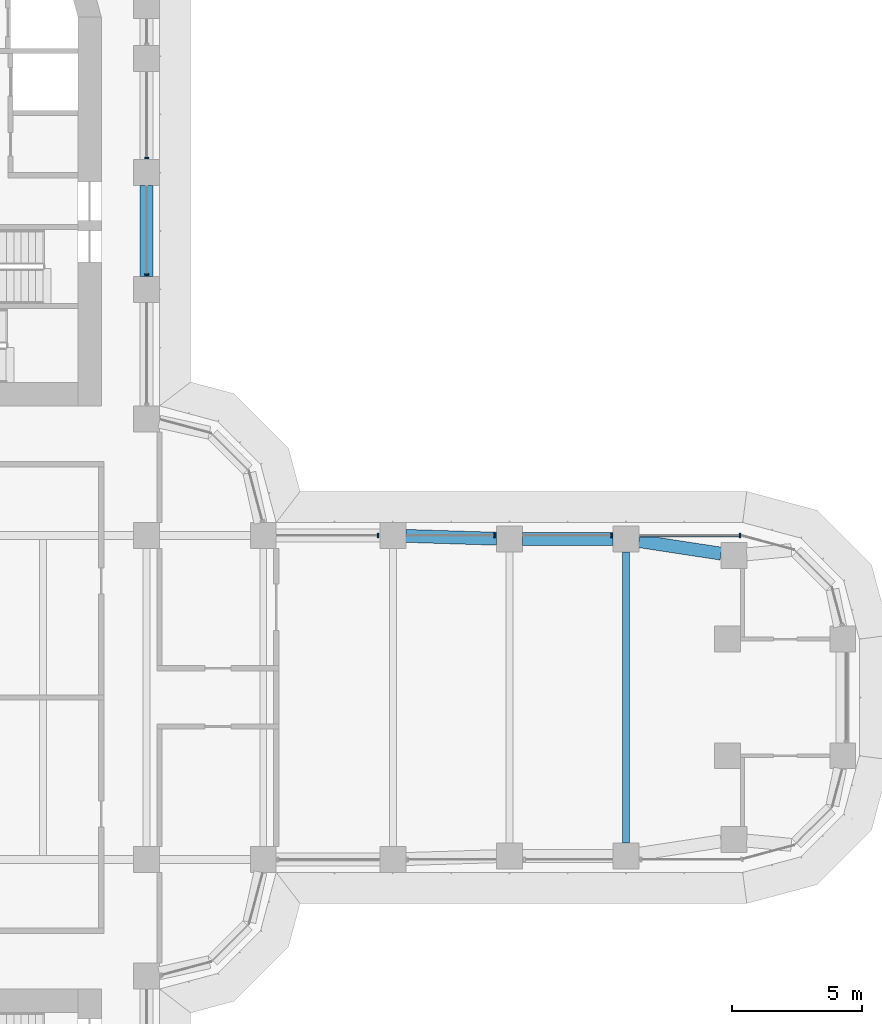
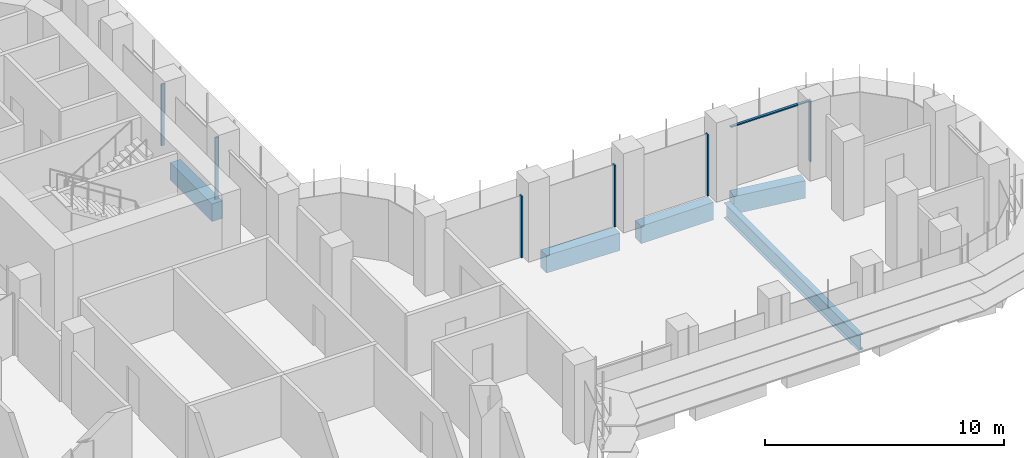
# One storey, part 9 of 23: 7 members, 5 beams, 2 elements without a shape of their own.
"""IFC4 building model written with IfcOpenShell, lengths in metres."""

import ifcopenshell
import ifcopenshell.guid

model = None  # the IFC model being written
_history = None  # IfcOwnerHistory: only IFC2X3 demands one
_inside = {}  # id of a spatial element -> (the spatial element, [elements in it])
_under = {}  # id of a project, library or spatial element -> (it, [spatial elements below it])
_declared = {}  # id of a project -> (the project, [libraries it declares])
_typed = {}  # id of a type object -> (the type object, [elements of that type])
_made_of = {}  # id of a material, layer set ... -> (it, [elements and type objects made of it])


def new_model(schema):
    """Start an empty IFC model of exactly this schema.

    Asked for "IFC4X3", IfcOpenShell would pick the latest addendum, in which some entities
    have other attributes; the version numbers below select the first issue.
    IFC2X3 requires an IfcOwnerHistory on every rooted entity: one is made here for all.
    """
    global model, _history
    if schema == "IFC4X3":
        model = ifcopenshell.file(schema_version=(4, 3, 0, 0))
    else:
        model = ifcopenshell.file(schema=schema)
    _inside.clear()
    _under.clear()
    _declared.clear()
    _typed.clear()
    _made_of.clear()
    _history = None
    if model.schema == "IFC2X3":
        org = make("IfcOrganization", Name="unknown")
        user = make(
            "IfcPersonAndOrganization",
            ThePerson=make("IfcPerson", FamilyName="unknown"),
            TheOrganization=org,
        )
        app = make(
            "IfcApplication",
            ApplicationDeveloper=org,
            Version="unknown",
            ApplicationFullName="unknown",
            ApplicationIdentifier="unknown",
        )
        _history = make(
            "IfcOwnerHistory",
            OwningUser=user,
            OwningApplication=app,
            ChangeAction="ADDED",
            CreationDate=0,
        )
    return model


def make(cls, **values):
    """One entity of the class cls with the attributes given. An attribute that is None is left unset."""
    return model.create_entity(
        cls, **{name: value for name, value in values.items() if value is not None}
    )


def rooted(cls, **values):
    """An entity with a GlobalId (a new one), such as an element, a storey or a relation."""
    return make(cls, GlobalId=ifcopenshell.guid.new(), OwnerHistory=_history, **values)


def si_unit(unit_type, name, prefix=None):
    """IfcSIUnit, for example si_unit("LENGTHUNIT", "METRE", prefix="MILLI")."""
    return make("IfcSIUnit", UnitType=unit_type, Prefix=prefix, Name=name)


def assignment(units):
    """IfcUnitAssignment: the units of a project."""
    return None if units is None else make("IfcUnitAssignment", Units=units)


def point(xyz):
    """IfcCartesianPoint."""
    return None if xyz is None else make("IfcCartesianPoint", Coordinates=xyz)


def direction(xyz):
    """IfcDirection."""
    return None if xyz is None else make("IfcDirection", DirectionRatios=xyz)


def frame(location, z_axis=None, x_axis=None):
    """IfcAxis2Placement3D, a coordinate frame: its origin and axes. An axis left out is left unset."""
    return make(
        "IfcAxis2Placement3D",
        Location=point(location),
        Axis=direction(z_axis),
        RefDirection=direction(x_axis),
    )


def frame_2d(location, x_axis=None):
    """IfcAxis2Placement2D, a coordinate frame in the plane: its origin and x axis."""
    return make(
        "IfcAxis2Placement2D", Location=point(location), RefDirection=direction(x_axis)
    )


def origin():
    """The frame at (0, 0, 0) with its axes left unset."""
    return frame((0.0, 0.0, 0.0))


def origin_2d():
    """The frame at (0, 0) in the plane with its x axis left unset."""
    return frame_2d((0.0, 0.0))


def place(relative_to, where):
    """IfcLocalPlacement: puts the frame where relative to a parent placement (None: the world)."""
    return make(
        "IfcLocalPlacement", PlacementRelTo=relative_to, RelativePlacement=where
    )


def context(
    kind, dimensions, precision=None, world=None, true_north=None, identifier=None
):
    """IfcGeometricRepresentationContext, for example the 3D "Model" context."""
    return make(
        "IfcGeometricRepresentationContext",
        ContextIdentifier=identifier,
        ContextType=kind,
        CoordinateSpaceDimension=dimensions,
        Precision=precision,
        WorldCoordinateSystem=world,
        TrueNorth=true_north,
    )


def subcontext(parent, identifier, kind, view, scale=None):
    """IfcGeometricRepresentationSubContext, for example "Body" below "Model"."""
    return make(
        "IfcGeometricRepresentationSubContext",
        ContextIdentifier=identifier,
        ContextType=kind,
        ParentContext=parent,
        TargetScale=scale,
        TargetView=view,
    )


def project(units=None, contexts=None):
    """IfcProject with its units and contexts."""
    return rooted(
        "IfcProject",
        Name="project",
        RepresentationContexts=contexts,
        UnitsInContext=assignment(units),
    )


def spatial(cls, under=None, at=None, **own):
    """A site, building, storey or space (cls), placed at a placement, below another one or the project."""
    s = rooted(cls, ObjectPlacement=at, **own)
    if under is not None:
        _under.setdefault(under.id(), (under, []))[1].append(s)
    return s


def polyline(points):
    """IfcPolyline through the points."""
    return make("IfcPolyline", Points=[point(p) for p in points])


def profile(cls, at=None, kind="AREA", **sizes):
    """A parametric profile (cls). Its sizes go by their IFC names, for example OverallWidth=200.0."""
    return make(cls, ProfileType=kind, Position=at, **sizes)


def rectangle(**sizes):
    """IfcRectangleProfileDef."""
    return profile("IfcRectangleProfileDef", **sizes)


def i_section(**sizes):
    """IfcIShapeProfileDef."""
    return profile("IfcIShapeProfileDef", **sizes)


def outline(outer, holes=None, kind="AREA"):
    """IfcArbitraryClosedProfileDef: a profile drawn as a closed curve; with holes, ...WithVoids."""
    if holes is None:
        return make("IfcArbitraryClosedProfileDef", ProfileType=kind, OuterCurve=outer)
    return make(
        "IfcArbitraryProfileDefWithVoids",
        ProfileType=kind,
        OuterCurve=outer,
        InnerCurves=holes,
    )


def extrude(swept, where, along, depth):
    """IfcExtrudedAreaSolid: the profile swept, set in the frame where, extruded along a direction by depth."""
    return make(
        "IfcExtrudedAreaSolid",
        SweptArea=swept,
        Position=where,
        ExtrudedDirection=direction(along),
        Depth=depth,
    )


def shape(context_of_items, identifier, shape_type, items):
    """IfcShapeRepresentation: the items that make up one representation, for example the "Body"."""
    return make(
        "IfcShapeRepresentation",
        ContextOfItems=context_of_items,
        RepresentationIdentifier=identifier,
        RepresentationType=shape_type,
        Items=items,
    )


def source(mapping_origin, context_of_items, identifier, shape_type, items):
    """IfcRepresentationMap: a shape defined once, which mapped items show again and again."""
    return make(
        "IfcRepresentationMap",
        MappingOrigin=mapping_origin,
        MappedRepresentation=shape(context_of_items, identifier, shape_type, items),
    )


def transform(
    local_origin,
    x_axis=None,
    y_axis=None,
    z_axis=None,
    scale=None,
    scale2=None,
    scale3=None,
    uniform=True,
):
    """IfcCartesianTransformationOperator3D, or its non-uniform kind. x_axis, y_axis, z_axis: its Axis1, 2, 3."""
    if uniform:
        return make(
            "IfcCartesianTransformationOperator3D",
            Axis1=direction(x_axis),
            Axis2=direction(y_axis),
            LocalOrigin=point(local_origin),
            Scale=scale,
            Axis3=direction(z_axis),
        )
    return make(
        "IfcCartesianTransformationOperator3DnonUniform",
        Axis1=direction(x_axis),
        Axis2=direction(y_axis),
        LocalOrigin=point(local_origin),
        Scale=scale,
        Axis3=direction(z_axis),
        Scale2=scale2,
        Scale3=scale3,
    )


def mapped(mapping_source, mapping_target):
    """IfcMappedItem: shows the shape of a source again, moved by a transform."""
    return make(
        "IfcMappedItem", MappingSource=mapping_source, MappingTarget=mapping_target
    )


def material(Name=None, Category=None):
    """IfcMaterial."""
    return make("IfcMaterial", Name=Name, Category=Category)


def material_profile(
    of_material, cross_section, Name=None, Category=None, Priority=None
):
    """IfcMaterialProfile: a cross section and its material."""
    return make(
        "IfcMaterialProfile",
        Name=Name,
        Material=of_material,
        Profile=cross_section,
        Priority=Priority,
        Category=Category,
    )


def profile_set(profiles, Name=None, composite=None):
    """IfcMaterialProfileSet."""
    return make(
        "IfcMaterialProfileSet",
        Name=Name,
        MaterialProfiles=profiles,
        CompositeProfile=composite,
    )


def made_of(thing, what):
    """Note that an element or type object is made of a material, layer set ...; save() writes the relation."""
    if what is not None:
        _made_of.setdefault(what.id(), (what, []))[1].append(thing)
    return thing


def type_object(cls, material=None, **own):
    """A type object (cls), such as IfcWallType, which elements share."""
    return made_of(rooted(cls, **own), material)


def element(
    cls,
    number,
    at=None,
    inside=None,
    cuts=None,
    type_object=None,
    material=None,
    context=None,
    identifier="Body",
    shape_type=None,
    held_by="IfcProductDefinitionShape",
    body=None,
    shapes=None,
    **own,
):
    """One element of the class cls, such as IfcWall. Its Tag is "e" and its number.

    at: its placement. inside: the storey or other place that contains it. cuts: it is an
    opening in that element (IfcRelVoidsElement). A single representation is given by context,
    identifier, shape_type and body (its items); several are given by shapes. held_by: the class
    of the entity that holds the representations. save() writes the other relations.
    """
    e = rooted(cls, Tag="e%d" % number, ObjectPlacement=at, **own)
    if body is not None:
        shapes = [shape(context, identifier, shape_type, body)]
    if shapes is not None:
        e.Representation = make(held_by, Representations=shapes)
    if inside is not None:
        _inside.setdefault(inside.id(), (inside, []))[1].append(e)
    if cuts is not None:
        rooted(
            "IfcRelVoidsElement", RelatingBuildingElement=cuts, RelatedOpeningElement=e
        )
    if type_object is not None:
        _typed.setdefault(type_object.id(), (type_object, []))[1].append(e)
    return made_of(e, material)


def aggregate(whole, parts):
    """IfcRelAggregates: a whole, such as a stair, and the parts it consists of."""
    return rooted("IfcRelAggregates", RelatingObject=whole, RelatedObjects=parts)


def save(model, path):
    """Write the relations noted so far, then the file.

    IfcRelAggregates (storeys below a building ...), IfcRelContainedInSpatialStructure (elements
    in a storey), IfcRelDefinesByType, IfcRelAssociatesMaterial and IfcRelDeclares: one each for
    every whole, place, type object, material and project.
    """
    for whole, parts in _under.values():
        aggregate(whole, parts)
    for where, things in _inside.values():
        rooted(
            "IfcRelContainedInSpatialStructure",
            RelatedElements=things,
            RelatingStructure=where,
        )
    for kind, things in _typed.values():
        rooted("IfcRelDefinesByType", RelatedObjects=things, RelatingType=kind)
    for what, things in _made_of.values():
        rooted("IfcRelAssociatesMaterial", RelatedObjects=things, RelatingMaterial=what)
    for by, libraries in _declared.values():
        rooted("IfcRelDeclares", RelatingContext=by, RelatedDefinitions=libraries)
    model.write(path)


model = new_model("IFC4")

# Units and contexts
model_context = context("Model", 3, precision=1e-05, world=origin(), true_north=direction((0.0, 1.0)))
body_context = subcontext(model_context, "Body", "Model", "MODEL_VIEW")
ifc_project = project(units=[si_unit("LENGTHUNIT", "METRE"), si_unit("AREAUNIT", "SQUARE_METRE"), si_unit("VOLUMEUNIT", "CUBIC_METRE"), si_unit("PLANEANGLEUNIT", "RADIAN"), si_unit("MASSUNIT", "GRAM", prefix="KILO")], contexts=[model_context])

# Site, building, storey
site_placement = place(None, origin())
site = spatial("IfcSite", under=ifc_project, at=site_placement, CompositionType="ELEMENT")
building_placement = place(site_placement, origin())
building = spatial("IfcBuilding", under=site, at=building_placement, Name="Zarbagh Exchange Tower", CompositionType="ELEMENT")
storey_placement = place(building_placement, frame((0.0, 0.0, 64.800048828125)))
storey = spatial("IfcBuildingStorey", under=building, at=storey_placement, Name="L14", CompositionType="ELEMENT", Elevation=64.800048828125)

# Beams
ifc_material_1 = material(Name="Steel ASTM A992 Gr 50", Category="steel")
ifc_material_profile_1 = material_profile(ifc_material_1, i_section(OverallWidth=0.2666015625, OverallDepth=0.76708984375, WebThickness=0.014892578125, FlangeThickness=0.023681640625, at=origin_2d()), Name="W30X124")
ifc_profile_set_1 = profile_set([ifc_material_profile_1], Name="Steel ASTM A992 Gr 50")
beam_type_1 = type_object("IfcBeamType", Name="Floor beam W30X124", PredefinedType="BEAM", material=ifc_profile_set_1)
beam_1_placement = place(storey_placement, frame((24.75, -5.610107421875, -0.533447265625), z_axis=(0.0, 1.0, 0.0), x_axis=(-1.0, 0.0, 0.0)))
element("IfcBeam", 1, at=beam_1_placement, inside=storey, type_object=beam_type_1, Name="Steel floor beam", PredefinedType="BEAM", context=body_context, shape_type="SweptSolid", body=[
    extrude(i_section(OverallWidth=0.2666015625, OverallDepth=0.76708984375, WebThickness=0.014892578125, FlangeThickness=0.023681640625, at=origin_2d()), origin(), (0.0, 0.0, 1.0), 11.22021484375),
])
ifc_material_2 = material(Name="Concrete C60/75", Category="concrete")
ifc_material_profile_2 = material_profile(ifc_material_2, rectangle(XDim=0.5, YDim=0.89990234375, at=origin_2d()), Name="RC spandrel beam 500 x 900 C60/75")
ifc_profile_set_2 = profile_set([ifc_material_profile_2], Name="Concrete C60/75")
beam_type_2 = type_object("IfcBeamType", Name="RC spandrel beam 500 x 900 C60/75", PredefinedType="SPANDREL", material=ifc_profile_set_2)
beam_2_placement = place(storey_placement, frame((6.25, 19.75, -0.60009765625), z_axis=(0.0, -1.0, 0.0), x_axis=(1.0, 0.0, 0.0)))
element("IfcBeam", 2, at=beam_2_placement, inside=storey, type_object=beam_type_2, Name="RC spandrel beam", PredefinedType="SPANDREL", context=body_context, shape_type="SweptSolid", body=[
    extrude(rectangle(XDim=0.5, YDim=0.89990234375, at=origin_2d()), origin(), (0.0, 0.0, 1.0), 3.5),
])
beam_3_placement = place(storey_placement, frame((16.249755859375, 6.234619140625, -0.60009765625), z_axis=(0.999514385708, -0.031160756759, 0.0), x_axis=(0.031160756759, 0.999514385708, 0.0)))
element("IfcBeam", 3, at=beam_3_placement, inside=storey, type_object=beam_type_2, Name="RC spandrel beam", PredefinedType="SPANDREL", context=body_context, shape_type="SweptSolid", body=[
    extrude(rectangle(XDim=0.5, YDim=0.89990234375, at=origin_2d()), origin(), (0.0, 0.0, 1.0), 3.502197265625),
])
beam_4_placement = place(storey_placement, frame((20.75, 6.110107421875, -0.60009765625), z_axis=(1.0, 0.0, 0.0), x_axis=(0.0, 1.0, 0.0)))
element("IfcBeam", 4, at=beam_4_placement, inside=storey, type_object=beam_type_2, Name="RC spandrel beam", PredefinedType="SPANDREL", context=body_context, shape_type="SweptSolid", body=[
    extrude(rectangle(XDim=0.5, YDim=0.89990234375, at=origin_2d()), origin(), (0.0, 0.0, 1.0), 3.5),
])
beam_5_placement = place(storey_placement, frame((25.244384765625, 6.034423828125, -0.60009765625), z_axis=(0.988545350976, -0.150924116903, 0.0), x_axis=(0.150924116903, 0.988545350976, 0.0)))
element("IfcBeam", 5, at=beam_5_placement, inside=storey, type_object=beam_type_2, Name="RC spandrel beam", PredefinedType="SPANDREL", context=body_context, shape_type="SweptSolid", body=[
    extrude(rectangle(XDim=0.5, YDim=0.89990234375, at=origin_2d()), origin(), (0.0, 0.0, 1.0), 3.2060546875),
])

# Curtain wall, members
ifc_material_3 = material(Name="Anodised aluminium frame and glazing", Category="aluminium")
curtain_wall_type = type_object("IfcCurtainWallType", Name="CWA Ribbon glazing, lower zones", PredefinedType="NOTDEFINED", material=ifc_material_3)
curtain_wall_1_placement = place(storey_placement, origin())
curtain_wall_1 = element("IfcCurtainWall", 6, at=curtain_wall_1_placement, inside=storey, type_object=curtain_wall_type, Name="CWA16 curtain wall", PredefinedType="NOTDEFINED")
ifc_material_4 = material(Name="Anodised aluminium frame", Category="aluminium")
member_type_1 = type_object("IfcMemberType", Name="MUA Mullion, anodised aluminium frame", PredefinedType="MULLION", material=ifc_material_4)
shared_shape_1 = source(origin(), body_context, "Body", "SweptSolid", [
    extrude(outline(polyline([(0.0, -0.080078125), (0.06005859375, -0.080078125), (0.06005859375, 0.080078125), (0.0, 0.080078125), (0.0, -0.080078125)])), origin(), (0.0, 0.0, 1.0), 3.14990234375),
])
placement = place(storey_placement, origin())
member_1 = element("IfcMember", 7, at=placement, type_object=member_type_1, Name="CWA16 mullion 1.1", PredefinedType="MULLION", context=body_context, shape_type="MappedRepresentation", body=[
    mapped(shared_shape_1, transform((29.18408203125, 6.25, 0.0), x_axis=(-1.0, 0.0, 0.0), y_axis=(0.0, -1.0, 0.0), z_axis=(0.0, 0.0, 1.0))),
])
member_2 = element("IfcMember", 8, at=placement, type_object=member_type_1, Name="CWA16 mullion 2.1", PredefinedType="MULLION", context=body_context, shape_type="MappedRepresentation", body=[
    mapped(shared_shape_1, transform((24.2099609375, 6.25, 0.0), x_axis=(-1.0, 0.0, 0.0), y_axis=(0.0, -1.0, 0.0), z_axis=(0.0, 0.0, 1.0))),
])
member_3 = element("IfcMember", 9, at=placement, type_object=member_type_1, Name="CWA16 mullion 3.1", PredefinedType="MULLION", context=body_context, shape_type="MappedRepresentation", body=[
    mapped(shared_shape_1, transform((19.7099609375, 6.25, 0.0), x_axis=(-1.0, 0.0, 0.0), y_axis=(0.0, -1.0, 0.0), z_axis=(0.0, 0.0, 1.0))),
])
member_4 = element("IfcMember", 10, at=placement, type_object=member_type_1, Name="CWA16 mullion 4.1", PredefinedType="MULLION", context=body_context, shape_type="MappedRepresentation", body=[
    mapped(shared_shape_1, transform((15.2099609375, 6.25, 0.0), x_axis=(-1.0, 0.0, 0.0), y_axis=(0.0, -1.0, 0.0), z_axis=(0.0, 0.0, 1.0))),
])

curtain_wall_2_placement = place(storey_placement, origin())
curtain_wall_2 = element("IfcCurtainWall", 11, at=curtain_wall_2_placement, inside=storey, type_object=curtain_wall_type, Name="CWA20 curtain wall", PredefinedType="NOTDEFINED")
member_5 = element("IfcMember", 12, at=placement, type_object=member_type_1, Name="CWA20 mullion 2.1", PredefinedType="MULLION", context=body_context, shape_type="MappedRepresentation", body=[
    mapped(shared_shape_1, transform((6.25, 16.2900390625, 0.0), x_axis=(0.0, 1.0, 0.0), y_axis=(-1.0, 0.0, 0.0), z_axis=(0.0, 0.0, 1.0))),
])
member_6 = element("IfcMember", 13, at=placement, type_object=member_type_1, Name="CWA20 mullion 3.1", PredefinedType="MULLION", context=body_context, shape_type="MappedRepresentation", body=[
    mapped(shared_shape_1, transform((6.25, 20.7900390625, 0.0), x_axis=(0.0, 1.0, 0.0), y_axis=(-1.0, 0.0, 0.0), z_axis=(0.0, 0.0, 1.0))),
])
aggregate(curtain_wall_2, [member_5, member_6])

# Member
member_type_2 = type_object("IfcMemberType", Name="TRA Transom, anodised aluminium frame", PredefinedType="USERDEFINED", material=ifc_material_4)
shared_shape_2 = source(origin(), body_context, "Body", "SweptSolid", [
    extrude(outline(polyline([(-0.06005859375, -0.06005859375), (0.0, -0.06005859375), (0.0, 0.06005859375), (-0.06005859375, 0.06005859375), (-0.06005859375, -0.06005859375)])), origin(), (0.0, 0.0, 1.0), 3.834228515625),
])
member_7 = element("IfcMember", 14, at=placement, type_object=member_type_2, Name="CWA16 transom 1.1", ObjectType="TRANSOM", PredefinedType="USERDEFINED", context=body_context, shape_type="MappedRepresentation", body=[
    mapped(shared_shape_2, transform((29.124267578125, 6.25, 3.14990234375), x_axis=(0.0, 0.0, 1.0), y_axis=(0.0, 1.0, 0.0), z_axis=(-1.0, 0.0, 0.0))),
])

aggregate(curtain_wall_1, [member_1, member_7, member_2, member_3, member_4])

save(model, "model.ifc")
